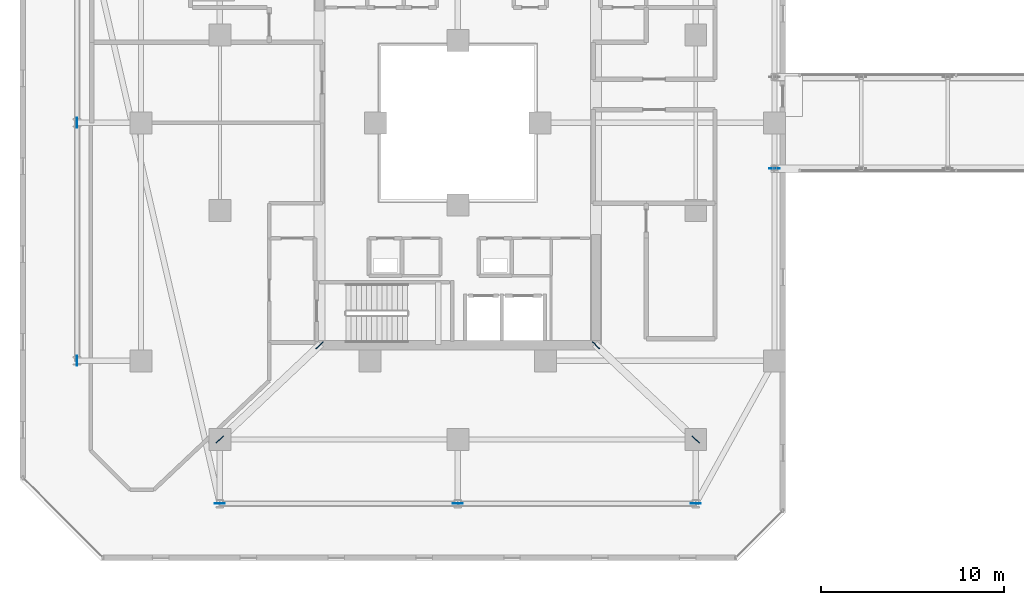
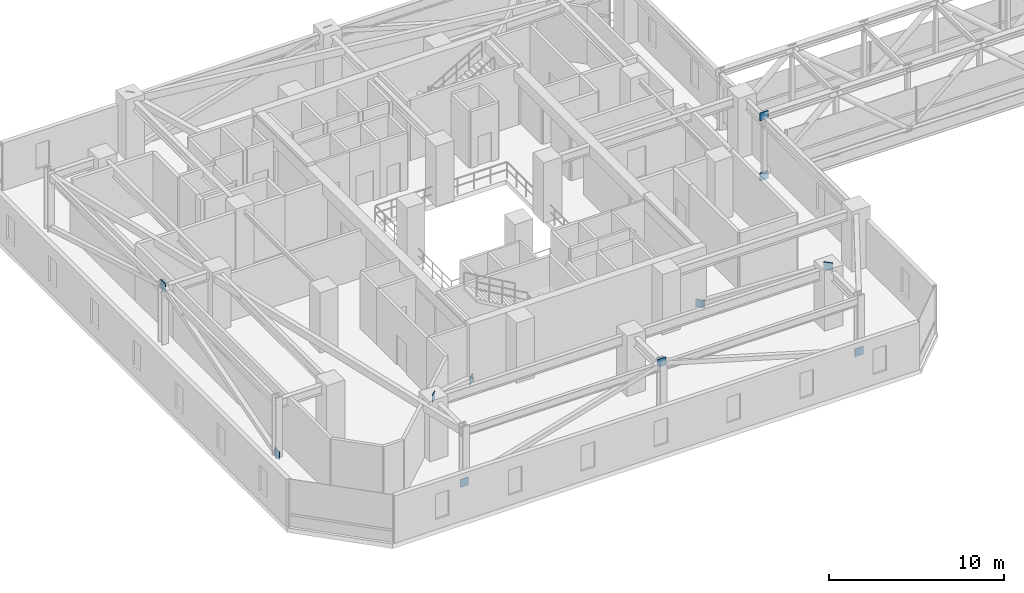
# One storey, part 29 of 45: 11 plates.
"""IFC4 building model written with IfcOpenShell, lengths in metres."""

from ifc_helpers import new_model, si_unit, direction, frame, origin, origin_2d, place, context, subcontext, project, spatial, rectangle, extrude, material, layer, layer_set, type_object, element, save


model = new_model("IFC4")

# Units and contexts
model_context = context("Model", 3, precision=1e-05, world=origin(), true_north=direction((0.0, 1.0)))
body_context = subcontext(model_context, "Body", "Model", "MODEL_VIEW")
ifc_project = project(units=[si_unit("LENGTHUNIT", "METRE"), si_unit("AREAUNIT", "SQUARE_METRE"), si_unit("VOLUMEUNIT", "CUBIC_METRE"), si_unit("PLANEANGLEUNIT", "RADIAN"), si_unit("MASSUNIT", "GRAM", prefix="KILO")], contexts=[model_context])

# Site, building, storey
site_placement = place(None, origin())
site = spatial("IfcSite", under=ifc_project, at=site_placement, CompositionType="ELEMENT")
building_placement = place(site_placement, origin())
building = spatial("IfcBuilding", under=site, at=building_placement, Name="Thornwick Lancets Civic Towers", CompositionType="ELEMENT")
storey_placement = place(building_placement, frame((0.0, 0.0, 141.300048828125)))
storey = spatial("IfcBuildingStorey", under=building, at=storey_placement, Name="L37", CompositionType="ELEMENT", Elevation=141.300048828125)

# Plates
ifc_material = material(Name="Steel S460M", Category="steel")
ifc_layer = layer(ifc_material, 0.0400390625, Name="Steel S460M")
ifc_layer_set = layer_set([ifc_layer], Name="Steel S460M")
plate_type = type_object("IfcPlateType", Name="PLT_GUSSET_40", PredefinedType="USERDEFINED", material=ifc_layer_set)
for number, where, z_axis, x_axis, name in (
    (1, (42.800048828125, 24.5, -0.4951171875), (0.0, 0.0, 1.0), (1.0, 0.0, 0.0), "L37 Brace Connection Gusset Plate 0179"),
    (2, (42.800048828125, 24.5, 3.68505859375), (0.0, 0.0, 1.0), (1.0, 0.0, 0.0), "L37 Brace Connection Gusset Plate 0180"),
    (3, (12.5, 6.199951171875, -0.125), (0.0, 0.0, 1.0), (1.0, 0.0, 0.0), "L37 Brace Connection Gusset Plate 0207"),
    (4, (25.5, 6.199951171875, 3.68505859375), (0.0, 0.0, 1.0), (1.0, 0.0, 0.0), "L37 Brace Connection Gusset Plate 0208"),
    (5, (38.5, 6.199951171875, -0.125), (0.0, 0.0, 1.0), (-1.0, 0.0, 0.0), "L37 Brace Connection Gusset Plate 0209"),
    (6, (4.699951171875, 14.0, -0.125), (0.0, 0.0, 1.0), (0.0, 1.0, 0.0), "L37 Brace Connection Gusset Plate 0213"),
    (7, (4.699951171875, 27.0, 3.68505859375), (0.0, 0.0, 1.0), (0.0, 1.0, 0.0), "L37 Brace Connection Gusset Plate 0214"),
    (8, (33.050048828125, 14.85009765625, -0.125), (0.0, 0.0, 1.0), (0.726814465487, -0.686833846544, 0.0), "L37 Brace Connection Gusset Plate 0216"),
    (9, (38.5, 9.699951171875, 3.68505859375), (0.0, 0.0, 1.0), (0.726814465487, -0.686833846544, 0.0), "L37 Brace Connection Gusset Plate 0217"),
    (10, (17.949951171875, 14.85009765625, -0.125), (0.0, 0.0, 1.0), (-0.726814465487, -0.686833846544, 0.0), "L37 Brace Connection Gusset Plate 0218"),
    (11, (12.5, 9.699951171875, 3.68505859375), (0.0, 0.0, 1.0), (-0.726814465487, -0.686833846544, 0.0), "L37 Brace Connection Gusset Plate 0219"),
):
    element("IfcPlate", number, at=place(storey_placement, frame(where, z_axis=z_axis, x_axis=x_axis)), inside=storey, type_object=plate_type, Name=name, ObjectType="GUSSET_PLATE", PredefinedType="USERDEFINED", context=body_context, shape_type="SweptSolid", body=[
        extrude(rectangle(XDim=0.550048828125, YDim=0.0400390625, at=origin_2d()), origin(), (0.0, 0.0, 1.0), 0.550048828125),
    ])

save(model, "model.ifc")
